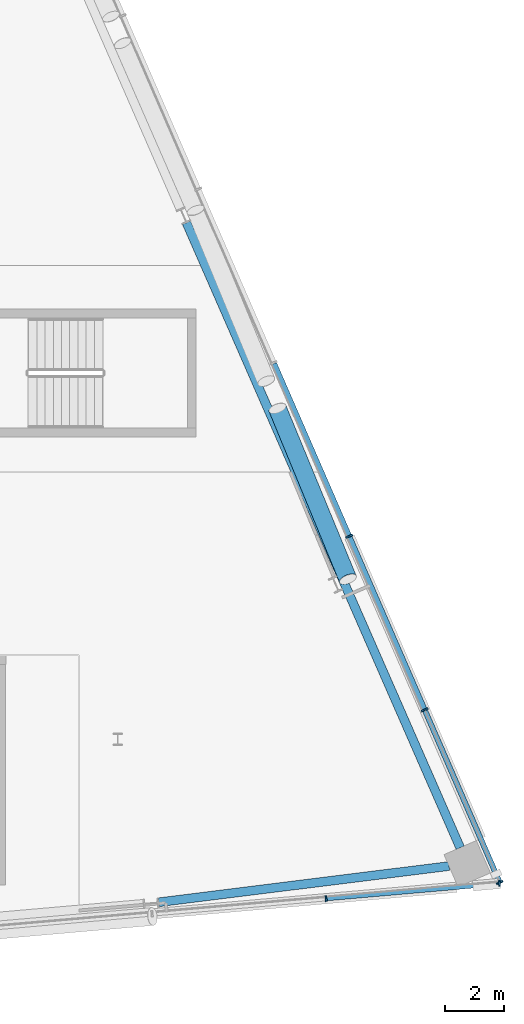
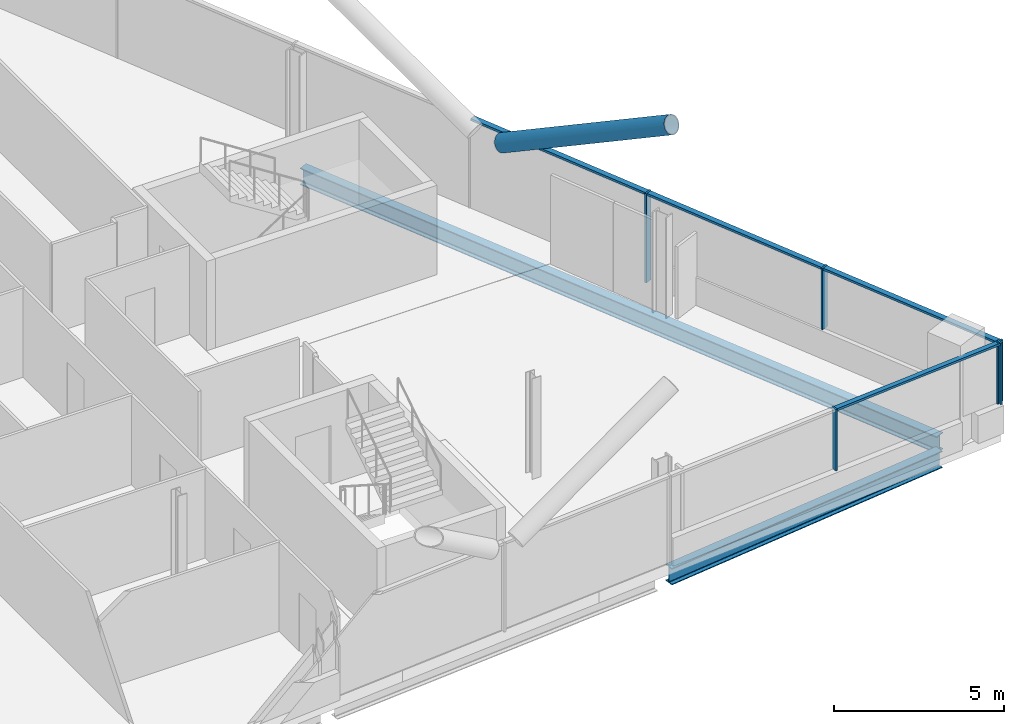
# One storey, part 12 of 27: 10 members, 2 beams, 2 elements without a shape of their own.
"""IFC4 building model written with IfcOpenShell, lengths in metres."""

from ifc_helpers import new_model, si_unit, direction, frame, origin, origin_2d, place, context, subcontext, project, spatial, rectangle, hollow_circle, i_section, extrude, material, material_profile, profile_set, type_object, element, aggregate, save


model = new_model("IFC4")

# Units and contexts
model_context = context("Model", 3, precision=1e-05, world=origin(), true_north=direction((0.0, 1.0)))
body_context = subcontext(model_context, "Body", "Model", "MODEL_VIEW")
ifc_project = project(units=[si_unit("LENGTHUNIT", "METRE"), si_unit("AREAUNIT", "SQUARE_METRE"), si_unit("VOLUMEUNIT", "CUBIC_METRE"), si_unit("PLANEANGLEUNIT", "RADIAN"), si_unit("MASSUNIT", "GRAM", prefix="KILO")], contexts=[model_context])

# Site, building, storey
site_placement = place(None, origin())
site = spatial("IfcSite", under=ifc_project, at=site_placement, CompositionType="ELEMENT")
building_placement = place(site_placement, origin())
building = spatial("IfcBuilding", under=site, at=building_placement, Name="Wharfspan Tower", CompositionType="ELEMENT")
storey_placement = place(building_placement, frame((0.0, 0.0, 221.5)))
storey = spatial("IfcBuildingStorey", under=building, at=storey_placement, Name="L55", CompositionType="ELEMENT", Elevation=221.5)

# Beams
ifc_material_1 = material(Name="Steel S355J2", Category="steel")
ifc_material_profile_1 = material_profile(ifc_material_1, i_section(OverallWidth=0.300049, OverallDepth=0.600098, WebThickness=0.015381, FlangeThickness=0.030029, FilletRadius=0.0271, at=origin_2d()))
ifc_profile_set_1 = profile_set([ifc_material_profile_1], Name="Steel S355J2")
beam_type = type_object("IfcBeamType", Name="Edge beam HEB 600", PredefinedType="SPANDREL", material=ifc_profile_set_1)
beam_1_placement = place(storey_placement, frame((73.391602, 5.955322, -0.699951), z_axis=(0.992301, 0.123848, 0.0), x_axis=(-0.123848, 0.992301, 0.0)))
element("IfcBeam", 1, at=beam_1_placement, inside=storey, type_object=beam_type, Name="Edge beam S2 L55 PS2.2 to MC4", PredefinedType="SPANDREL", context=body_context, shape_type="SweptSolid", body=[
    extrude(i_section(OverallWidth=0.300049, OverallDepth=0.600098, WebThickness=0.015381, FlangeThickness=0.030029, FilletRadius=0.0271, at=origin_2d()), origin(), (0.0, 0.0, 1.0), 9.951172),
])
beam_2_placement = place(storey_placement, frame((83.643799, 7.810547, -0.699951), z_axis=(-0.401141, 0.916016, 0.0), x_axis=(-0.916016, -0.401141, 0.0)))
element("IfcBeam", 2, at=beam_2_placement, inside=storey, type_object=beam_type, Name="Edge beam E L55 MC4 to PE.2", PredefinedType="SPANDREL", context=body_context, shape_type="SweptSolid", body=[
    extrude(i_section(OverallWidth=0.300049, OverallDepth=0.600098, WebThickness=0.015381, FlangeThickness=0.030029, FilletRadius=0.0271, at=origin_2d()), origin(), (0.0, 0.0, 1.0), 23.196045),
])

# Curtain wall, members
ifc_material_2 = material(Name="Aluminium 6063-T6", Category="aluminium")
curtain_wall_type_1 = type_object("IfcCurtainWallType", Name="CURTAIN WALL FACETED FRONT", PredefinedType="NOTDEFINED", material=ifc_material_2)
curtain_wall_1_placement = place(storey_placement, origin())
curtain_wall_1 = element("IfcCurtainWall", 3, at=curtain_wall_1_placement, inside=storey, type_object=curtain_wall_type_1, Name="Curtain wall S2", PredefinedType="NOTDEFINED")
ifc_material_profile_2 = material_profile(ifc_material_2, rectangle(XDim=0.199951, YDim=0.060059, at=origin_2d()))
ifc_profile_set_2 = profile_set([ifc_material_profile_2], Name="Aluminium 6063-T6")
member_type_1 = type_object("IfcMemberType", Name="MULLION FACETED FRONT 60x200", PredefinedType="MULLION", material=ifc_profile_set_2)
member_1_placement = place(storey_placement, frame((79.083252, 6.082275, 1.0), z_axis=(0.0, 0.0, 1.0), x_axis=(-0.087156, 0.996197, 0.0)))
member_1 = element("IfcMember", 4, at=member_1_placement, type_object=member_type_1, Name="Curtain wall S2 mullion 6", PredefinedType="MULLION", context=body_context, shape_type="SweptSolid", body=[
    extrude(rectangle(XDim=0.199951, YDim=0.060059, at=origin_2d()), origin(), (0.0, 0.0, 1.0), 2.199951),
])
member_2_placement = place(storey_placement, frame((84.970215, 6.597412, 1.0), z_axis=(0.0, 0.0, 1.0), x_axis=(-0.087156, 0.996197, 0.0)))
member_2 = element("IfcMember", 5, at=member_2_placement, type_object=member_type_1, Name="Curtain wall S2 mullion 7", PredefinedType="MULLION", context=body_context, shape_type="SweptSolid", body=[
    extrude(rectangle(XDim=0.199951, YDim=0.060059, at=origin_2d()), origin(), (0.0, 0.0, 1.0), 2.199951),
])

curtain_wall_type_2 = type_object("IfcCurtainWallType", Name="CURTAIN WALL PROW AND END", PredefinedType="NOTDEFINED", material=ifc_material_2)
curtain_wall_2_placement = place(storey_placement, origin())
curtain_wall_2 = element("IfcCurtainWall", 6, at=curtain_wall_2_placement, inside=storey, type_object=curtain_wall_type_2, Name="Curtain wall E", PredefinedType="NOTDEFINED")
ifc_material_profile_3 = material_profile(ifc_material_2, rectangle(XDim=0.23999, YDim=0.060059, at=origin_2d()))
ifc_profile_set_3 = profile_set([ifc_material_profile_3], Name="Aluminium 6063-T6")
member_type_2 = type_object("IfcMemberType", Name="MULLION PROW AND END 60x240", PredefinedType="MULLION", material=ifc_profile_set_3)
member_3_placement = place(storey_placement, frame((84.988037, 6.627441, 1.0), z_axis=(0.0, 0.0, 1.0), x_axis=(-0.917072, -0.398727, 0.0)))
member_3 = element("IfcMember", 7, at=member_3_placement, type_object=member_type_2, Name="Curtain wall E mullion 1", PredefinedType="MULLION", context=body_context, shape_type="SweptSolid", body=[
    extrude(rectangle(XDim=0.23999, YDim=0.060059, at=origin_2d()), origin(), (0.0, 0.0, 1.0), 2.199951),
])
member_4_placement = place(storey_placement, frame((82.434814, 12.5, 1.0), z_axis=(0.0, 0.0, 1.0), x_axis=(-0.917072, -0.398727, 0.0)))
member_4 = element("IfcMember", 8, at=member_4_placement, type_object=member_type_2, Name="Curtain wall E mullion 2", PredefinedType="MULLION", context=body_context, shape_type="SweptSolid", body=[
    extrude(rectangle(XDim=0.23999, YDim=0.060059, at=origin_2d()), origin(), (0.0, 0.0, 1.0), 2.199951),
])
member_5_placement = place(storey_placement, frame((79.869629, 18.399902, 0.0), z_axis=(0.0, 0.0, 1.0), x_axis=(-0.917072, -0.398727, 0.0)))
member_5 = element("IfcMember", 9, at=member_5_placement, type_object=member_type_2, Name="Curtain wall E mullion 3", PredefinedType="MULLION", context=body_context, shape_type="SweptSolid", body=[
    extrude(rectangle(XDim=0.23999, YDim=0.060059, at=origin_2d()), origin(), (0.0, 0.0, 1.0), 3.199951),
])

# Member
ifc_material_3 = material(Name="Steel S460NH", Category="steel")
ifc_material_profile_4 = material_profile(ifc_material_3, hollow_circle(Radius=0.304932, WallThickness=0.024902, at=origin_2d()))
ifc_profile_set_4 = profile_set([ifc_material_profile_4], Name="Steel S460NH")
member_type_3 = type_object("IfcMemberType", Name="Mega brace CHS 610x25", PredefinedType="BRACE", material=ifc_profile_set_4)
member_6_placement = place(storey_placement, frame((77.431885, 22.744141, 3.16748), z_axis=(0.337047, -0.816368, 0.46898), x_axis=(0.924317, 0.381615, 0.0)))
element("IfcMember", 10, at=member_6_placement, inside=storey, type_object=member_type_3, Name="Mega brace E5 L55 part 4", PredefinedType="BRACE", context=body_context, shape_type="SweptSolid", body=[
    extrude(hollow_circle(Radius=0.304932, WallThickness=0.024902, at=origin_2d()), origin(), (0.0, 0.0, 1.0), 7.105957),
])

ifc_material_profile_5 = material_profile(ifc_material_2, rectangle(XDim=0.159912, YDim=0.080078, at=origin_2d()))
ifc_profile_set_5 = profile_set([ifc_material_profile_5], Name="Aluminium 6063-T6")
member_type_4 = type_object("IfcMemberType", Name="TRANSOM FACETED FRONT 80x160", PredefinedType="USERDEFINED", material=ifc_profile_set_5)
member_7_placement = place(storey_placement, frame((79.113281, 6.084961, 3.159912), z_axis=(0.996195, 0.087152, 0.0), x_axis=(-0.087152, 0.996195, 0.0)))
member_7 = element("IfcMember", 11, at=member_7_placement, type_object=member_type_4, Name="Curtain wall S2 transom 6", ObjectType="TRANSOM", PredefinedType="USERDEFINED", context=body_context, shape_type="SweptSolid", body=[
    extrude(rectangle(XDim=0.159912, YDim=0.080078, at=origin_2d()), origin(), (0.0, 0.0, 1.0), 5.849121),
])

aggregate(curtain_wall_1, [member_1, member_2, member_7])

ifc_material_profile_6 = material_profile(ifc_material_2, rectangle(XDim=0.179932, YDim=0.080078, at=origin_2d()))
ifc_profile_set_6 = profile_set([ifc_material_profile_6], Name="Aluminium 6063-T6")
member_type_5 = type_object("IfcMemberType", Name="TRANSOM PROW AND END 80x180", PredefinedType="USERDEFINED", material=ifc_profile_set_6)
member_8_placement = place(storey_placement, frame((84.976074, 6.655029, 3.159912), z_axis=(-0.398726, 0.91707, 0.0), x_axis=(-0.91707, -0.398726, 0.0)))
member_8 = element("IfcMember", 12, at=member_8_placement, type_object=member_type_5, Name="Curtain wall E transom 1", ObjectType="TRANSOM", PredefinedType="USERDEFINED", context=body_context, shape_type="SweptSolid", body=[
    extrude(rectangle(XDim=0.179932, YDim=0.080078, at=origin_2d()), origin(), (0.0, 0.0, 1.0), 6.343506),
])

member_9_placement = place(storey_placement, frame((82.422852, 12.527588, 3.159912), z_axis=(-0.398722, 0.917072, 0.0), x_axis=(-0.917072, -0.398722, 0.0)))
member_9 = element("IfcMember", 13, at=member_9_placement, type_object=member_type_5, Name="Curtain wall E transom 2", ObjectType="TRANSOM", PredefinedType="USERDEFINED", context=body_context, shape_type="SweptSolid", body=[
    extrude(rectangle(XDim=0.179932, YDim=0.080078, at=origin_2d()), origin(), (0.0, 0.0, 1.0), 6.373535),
])

member_10_placement = place(storey_placement, frame((79.857666, 18.42749, 3.159912), z_axis=(-0.398722, 0.917072, 0.0), x_axis=(-0.917072, -0.398722, 0.0)))
member_10 = element("IfcMember", 14, at=member_10_placement, type_object=member_type_5, Name="Curtain wall E transom 3", ObjectType="TRANSOM", PredefinedType="USERDEFINED", context=body_context, shape_type="SweptSolid", body=[
    extrude(rectangle(XDim=0.179932, YDim=0.080078, at=origin_2d()), origin(), (0.0, 0.0, 1.0), 6.373535),
])

aggregate(curtain_wall_2, [member_3, member_4, member_5, member_8, member_9, member_10])

save(model, "model.ifc")
